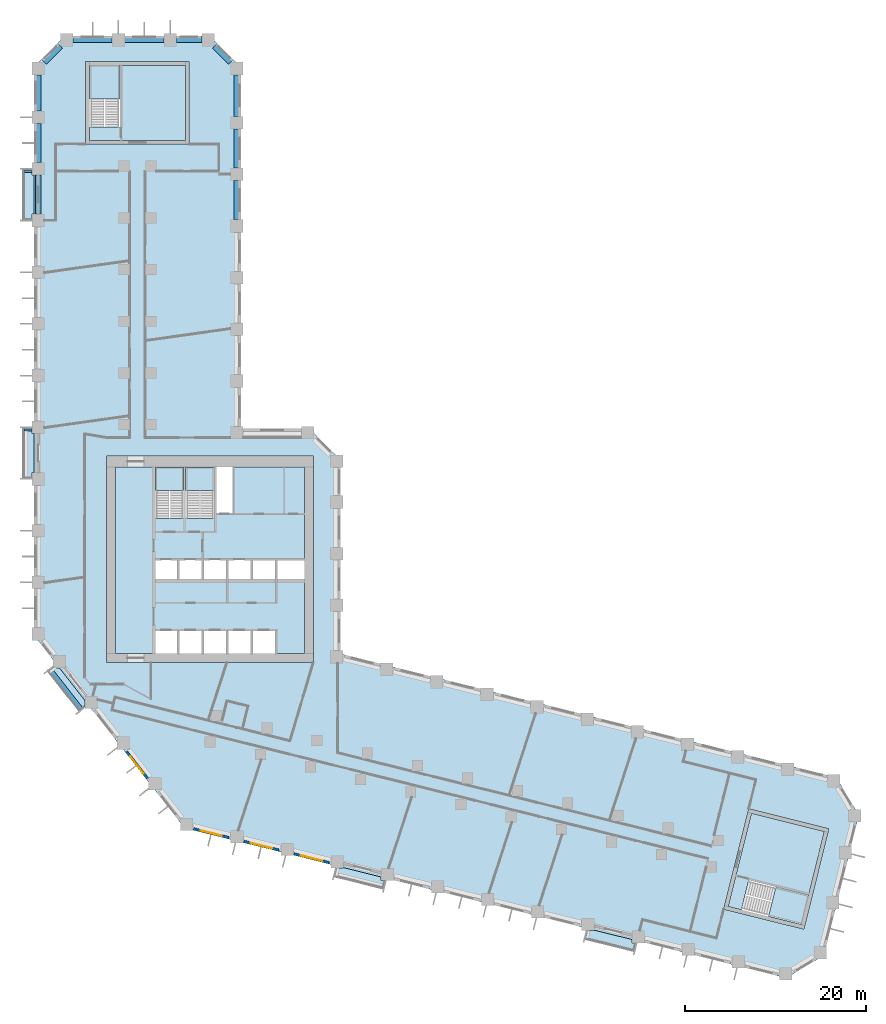
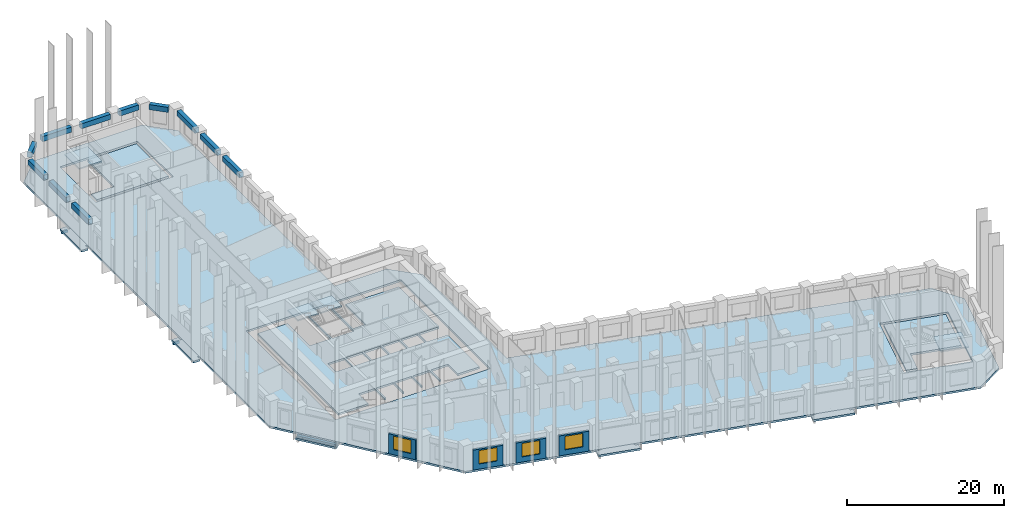
# One storey, part 2 of 12: 13 beams, 13 slabs, 5 walls, 4 windows, 4 openings, 4 elements without a shape of their own.
"""IFC4 building model written with IfcOpenShell, lengths in metres."""

from ifc_helpers import new_model, si_unit, direction, frame, frame_2d, origin, origin_2d, place, context, subcontext, project, spatial, polyline, rectangle, outline, extrude, material, layer, layer_set, material_profile, profile_set, type_object, element, fill, aggregate, save


model = new_model("IFC4")

# Units and contexts
model_context = context("Model", 3, precision=1e-05, world=origin(), true_north=direction((0.0, 1.0)))
body_context = subcontext(model_context, "Body", "Model", "MODEL_VIEW")
ifc_project = project(units=[si_unit("LENGTHUNIT", "METRE"), si_unit("AREAUNIT", "SQUARE_METRE"), si_unit("VOLUMEUNIT", "CUBIC_METRE"), si_unit("PLANEANGLEUNIT", "RADIAN"), si_unit("MASSUNIT", "GRAM", prefix="KILO")], contexts=[model_context])

# Site, building, storey
site_placement = place(None, origin())
site = spatial("IfcSite", under=ifc_project, at=site_placement, CompositionType="ELEMENT")
building_placement = place(site_placement, origin())
building = spatial("IfcBuilding", under=site, at=building_placement, Name="Meshkara Civic Tower", CompositionType="ELEMENT")
storey_placement = place(building_placement, frame((0.0, 0.0, 66.60009765625)))
storey = spatial("IfcBuildingStorey", under=building, at=storey_placement, Name="L14", CompositionType="ELEMENT", Elevation=66.60009765625)

# Beams
ifc_material_1 = material(Name="Concrete C50", Category="concrete")
ifc_material_profile_1 = material_profile(ifc_material_1, rectangle(XDim=0.25, YDim=0.39990234375, at=origin_2d()))
ifc_profile_set_1 = profile_set([ifc_material_profile_1], Name="Concrete C50")
beam_type_1 = type_object("IfcBeamType", Name="Balcony bracket beam RC 250x400 C50", PredefinedType="BEAM", material=ifc_profile_set_1)
for number, where, z_axis, x_axis, name in (
    (1, (-0.2451171875, 68.2548828125, -0.5), (-1.0, 0.0, 0.0), (0.0, -1.0, 0.0), "Balcony bracket beam"),
    (2, (-0.2451171875, 39.7548828125, -0.5), (-1.0, 0.0, 0.0), (0.0, -1.0, 0.0), "Balcony bracket beam"),
):
    element("IfcBeam", number, at=place(storey_placement, frame(where, z_axis=z_axis, x_axis=x_axis)), inside=storey, type_object=beam_type_1, Name=name, PredefinedType="BEAM", context=body_context, shape_type="SweptSolid", body=[
        extrude(rectangle(XDim=0.25, YDim=0.39990234375, at=origin_2d()), origin(), (0.0, 0.0, 1.0), 0.85498046875),
    ])
ifc_material_2 = material(Name="Concrete C70", Category="concrete")
ifc_material_profile_2 = material_profile(ifc_material_2, rectangle(XDim=0.60009765625, YDim=0.800048828125, at=origin_2d()))
ifc_profile_set_2 = profile_set([ifc_material_profile_2], Name="Concrete C70")
beam_type_2 = type_object("IfcBeamType", Name="Spandrel beam RC 600x800 C70", PredefinedType="BEAM", material=ifc_profile_set_2)
beam_1_placement = place(storey_placement, frame((22.35009765625, 62.945068359375, 3.5), z_axis=(0.0, 1.0, 0.0), x_axis=(-1.0, 0.0, 0.0)))
element("IfcBeam", 3, at=beam_1_placement, inside=storey, type_object=beam_type_2, Name="Spandrel beam AE04-AE05", PredefinedType="BEAM", context=body_context, shape_type="SweptSolid", body=[
    extrude(rectangle(XDim=0.60009765625, YDim=0.800048828125, at=origin_2d()), origin(), (0.0, 0.0, 1.0), 4.309814453125),
])
beam_2_placement = place(storey_placement, frame((22.35009765625, 68.64501953125, 3.5), z_axis=(0.0, 1.0, 0.0), x_axis=(-1.0, 0.0, 0.0)))
element("IfcBeam", 4, at=beam_2_placement, inside=storey, type_object=beam_type_2, Name="Spandrel beam AE05-AE06", PredefinedType="BEAM", context=body_context, shape_type="SweptSolid", body=[
    extrude(rectangle(XDim=0.60009765625, YDim=0.800048828125, at=origin_2d()), origin(), (0.0, 0.0, 1.0), 4.31005859375),
])
beam_3_placement = place(storey_placement, frame((22.35009765625, 74.344970703125, 3.5), z_axis=(0.0, 1.0, 0.0), x_axis=(-1.0, 0.0, 0.0)))
element("IfcBeam", 5, at=beam_3_placement, inside=storey, type_object=beam_type_2, Name="Spandrel beam AE06-AEE", PredefinedType="BEAM", context=body_context, shape_type="SweptSolid", body=[
    extrude(rectangle(XDim=0.60009765625, YDim=0.800048828125, at=origin_2d()), origin(), (0.0, 0.0, 1.0), 4.573974609375),
])
beam_4_placement = place(storey_placement, frame((21.653564453125, 80.310546875, 3.5), z_axis=(-0.707155737934, 0.70705782105, 0.0), x_axis=(-0.70705782105, -0.707155737934, 0.0)))
element("IfcBeam", 6, at=beam_4_placement, inside=storey, type_object=beam_type_2, Name="Spandrel beam AEE-ATiE", PredefinedType="BEAM", context=body_context, shape_type="SweptSolid", body=[
    extrude(rectangle(XDim=0.60009765625, YDim=0.800048828125, at=origin_2d()), origin(), (0.0, 0.0, 1.0), 2.493408203125),
])
beam_5_placement = place(storey_placement, frame((18.4990234375, 82.77001953125, 3.5), z_axis=(-1.0, 0.0, 0.0), x_axis=(0.0, -1.0, 0.0)))
element("IfcBeam", 7, at=beam_5_placement, inside=storey, type_object=beam_type_2, Name="Spandrel beam AT02-ATiE", PredefinedType="BEAM", context=body_context, shape_type="SweptSolid", body=[
    extrude(rectangle(XDim=0.60009765625, YDim=0.800048828125, at=origin_2d()), origin(), (0.0, 0.0, 1.0), 2.798095703125),
])
for number, where, z_axis, x_axis, name in (
    (8, (14.31103515625, 82.77001953125, 3.5), (-1.0, 0.0, 0.0), (0.0, -1.0, 0.0), "Spandrel beam AT01-AT02"),
    (9, (8.611083984375, 82.77001953125, 3.5), (-1.0, 0.0, 0.0), (0.0, -1.0, 0.0), "Spandrel beam AT00-AT01"),
):
    element("IfcBeam", number, at=place(storey_placement, frame(where, z_axis=z_axis, x_axis=x_axis)), inside=storey, type_object=beam_type_2, Name=name, PredefinedType="BEAM", context=body_context, shape_type="SweptSolid", body=[
        extrude(rectangle(XDim=0.60009765625, YDim=0.800048828125, at=origin_2d()), origin(), (0.0, 0.0, 1.0), 4.31005859375),
    ])
beam_6_placement = place(storey_placement, frame((2.909423828125, 82.073486328125, 3.5), z_axis=(-0.707106781187, -0.707106781187, 0.0), x_axis=(0.707106781187, -0.707106781187, 0.0)))
element("IfcBeam", 10, at=beam_6_placement, inside=storey, type_object=beam_type_2, Name="Spandrel beam AT00-ATo00", PredefinedType="BEAM", context=body_context, shape_type="SweptSolid", body=[
    extrude(rectangle(XDim=0.60009765625, YDim=0.800048828125, at=origin_2d()), origin(), (0.0, 0.0, 1.0), 2.4931640625),
])
beam_7_placement = place(storey_placement, frame((0.449951171875, 78.9189453125, 3.5), z_axis=(0.0, -1.0, 0.0), x_axis=(1.0, 0.0, 0.0)))
element("IfcBeam", 11, at=beam_7_placement, inside=storey, type_object=beam_type_2, Name="Spandrel beam ATo00-AW10", PredefinedType="BEAM", context=body_context, shape_type="SweptSolid", body=[
    extrude(rectangle(XDim=0.60009765625, YDim=0.800048828125, at=origin_2d()), origin(), (0.0, 0.0, 1.0), 3.968994140625),
])
for number, where, z_axis, x_axis, name in (
    (12, (0.449951171875, 73.56005859375, 3.5), (0.0, -1.0, 0.0), (1.0, 0.0, 0.0), "Spandrel beam AW09-AW10"),
    (13, (0.449951171875, 67.860107421875, 3.5), (0.0, -1.0, 0.0), (1.0, 0.0, 0.0), "Spandrel beam AW08-AW09"),
):
    element("IfcBeam", number, at=place(storey_placement, frame(where, z_axis=z_axis, x_axis=x_axis)), inside=storey, type_object=beam_type_2, Name=name, PredefinedType="BEAM", context=body_context, shape_type="SweptSolid", body=[
        extrude(rectangle(XDim=0.60009765625, YDim=0.800048828125, at=origin_2d()), origin(), (0.0, 0.0, 1.0), 4.31005859375),
    ])

# Slabs
ifc_material_3 = material(Name="Concrete C40", Category="concrete")
ifc_layer_1 = layer(ifc_material_3, 0.300048828125)
ifc_layer_set_1 = layer_set([ifc_layer_1], Name="BALCONY SLAB")
slab_type_1 = type_object("IfcSlabType", Name="BALCONY SLAB", PredefinedType="FLOOR", material=ifc_layer_set_1)
slab_1_placement = place(storey_placement, frame((0.0, 0.0, -0.300048828125)))
element("IfcSlab", 14, at=slab_1_placement, inside=storey, type_object=slab_type_1, Name="Balcony slab", PredefinedType="FLOOR", context=body_context, shape_type="SweptSolid", body=[
    extrude(outline(polyline([(-1.199951171875, 62.9150390625), (-1.199951171875, 68.4951171875), (-0.25, 68.4951171875), (-0.25, 67.85498046875), (0.0, 67.85498046875), (0.0, 63.554931640625), (-0.25, 63.554931640625), (-0.25, 62.9150390625), (-1.199951171875, 62.9150390625)])), origin(), (0.0, 0.0, 1.0), 0.300048828125),
])
slab_2_placement = place(storey_placement, frame((0.0, 0.0, -0.300048828125)))
element("IfcSlab", 15, at=slab_2_placement, inside=storey, type_object=slab_type_1, Name="Balcony slab", PredefinedType="FLOOR", context=body_context, shape_type="SweptSolid", body=[
    extrude(outline(polyline([(-1.199951171875, 34.4150390625), (-1.199951171875, 39.9951171875), (-0.25, 39.9951171875), (-0.25, 39.35498046875), (0.0, 39.35498046875), (0.0, 35.054931640625), (-0.25, 35.054931640625), (-0.25, 34.4150390625), (-1.199951171875, 34.4150390625)])), origin(), (0.0, 0.0, 1.0), 0.300048828125),
])
slab_3_placement = place(storey_placement, frame((0.0, 0.0, -0.300048828125)))
element("IfcSlab", 16, at=slab_3_placement, inside=storey, type_object=slab_type_1, Name="Balcony slab", PredefinedType="FLOOR", context=body_context, shape_type="SweptSolid", body=[
    extrude(outline(polyline([(4.986083984375, 8.76904296875), (1.551025390625, 13.166015625), (2.114013671875, 13.60595703125), (2.114013671875, 13.529052734375), (2.7900390625, 13.529052734375), (5.623046875, 9.903076171875), (5.623046875, 9.26611328125), (4.986083984375, 8.76904296875)])), origin(), (0.0, 0.0, 1.0), 0.300048828125),
])
slab_4_placement = place(storey_placement, frame((0.0, 0.0, -0.300048828125)))
element("IfcSlab", 17, at=slab_4_placement, inside=storey, type_object=slab_type_1, Name="Balcony slab", PredefinedType="FLOOR", context=body_context, shape_type="SweptSolid", body=[
    extrude(outline(polyline([(38.51708984375, -10.840087890625), (33.10205078125, -9.489990234375), (33.330078125, -8.574951171875), (34.14306640625, -8.574951171875), (34.14306640625, -8.512939453125), (38.27392578125, -9.54296875), (38.27392578125, -9.9541015625), (38.738037109375, -9.9541015625), (38.51708984375, -10.840087890625)])), origin(), (0.0, 0.0, 1.0), 0.300048828125),
])
slab_5_placement = place(storey_placement, frame((0.0, 0.0, -0.300048828125)))
element("IfcSlab", 18, at=slab_5_placement, inside=storey, type_object=slab_type_1, Name="Balcony slab", PredefinedType="FLOOR", context=body_context, shape_type="SweptSolid", body=[
    extrude(outline(polyline([(66.169921875, -17.735107421875), (60.756103515625, -16.385009765625), (60.98388671875, -15.468994140625), (61.797119140625, -15.468994140625), (61.797119140625, -15.407958984375), (65.927001953125, -16.43701171875), (65.927001953125, -16.847900390625), (66.39111328125, -16.847900390625), (66.169921875, -17.735107421875)])), origin(), (0.0, 0.0, 1.0), 0.300048828125),
])
ifc_material_4 = material(Name="Concrete C40/50", Category="concrete")
ifc_layer_2 = layer(ifc_material_4, 0.300048828125)
ifc_layer_set_2 = layer_set([ifc_layer_2], Name="Core floor slab 300 C40/50")
slab_type_2 = type_object("IfcSlabType", Name="Core floor slab 300 C40/50", PredefinedType="FLOOR", material=ifc_layer_set_2)
slab_6_placement = place(storey_placement, frame((0.0, 0.0, -0.300048828125)))
element("IfcSlab", 19, at=slab_6_placement, inside=storey, type_object=slab_type_2, Name="Core floor K", PredefinedType="FLOOR", context=body_context, shape_type="SweptSolid", body=[
    extrude(outline(polyline([(9.0, 35.699951171875), (13.39990234375, 35.699951171875), (13.39990234375, 30.00146484375), (16.5, 30.00146484375), (16.5, 35.699951171875), (16.699951171875, 35.699951171875), (16.699951171875, 30.00146484375), (19.89990234375, 30.00146484375), (19.89990234375, 35.699951171875), (20.10009765625, 35.699951171875), (20.10009765625, 30.574951171875), (21.925048828125, 30.574951171875), (21.925048828125, 35.699951171875), (29.800048828125, 35.699951171875), (29.800048828125, 25.39990234375), (26.800048828125, 25.39990234375), (26.800048828125, 23.300048828125), (29.800048828125, 23.300048828125), (29.800048828125, 15.10009765625), (26.60009765625, 15.10009765625), (26.60009765625, 17.60009765625), (24.10009765625, 17.60009765625), (24.10009765625, 15.10009765625), (23.89990234375, 15.10009765625), (23.89990234375, 17.60009765625), (21.39990234375, 17.60009765625), (21.39990234375, 15.10009765625), (21.199951171875, 15.10009765625), (21.199951171875, 17.60009765625), (18.699951171875, 17.60009765625), (18.699951171875, 15.10009765625), (18.5, 15.10009765625), (18.5, 17.60009765625), (16.0, 17.60009765625), (16.0, 15.10009765625), (15.800048828125, 15.10009765625), (15.800048828125, 17.60009765625), (13.39990234375, 17.60009765625), (13.39990234375, 15.10009765625), (9.0, 15.10009765625), (9.0, 35.699951171875)]), holes=[polyline([(13.39990234375, 25.39990234375), (13.39990234375, 23.300048828125), (15.800048828125, 23.300048828125), (15.800048828125, 25.39990234375), (13.39990234375, 25.39990234375)]), polyline([(18.5, 23.300048828125), (18.5, 25.39990234375), (16.0, 25.39990234375), (16.0, 23.300048828125), (18.5, 23.300048828125)]), polyline([(18.699951171875, 25.39990234375), (18.699951171875, 23.300048828125), (21.199951171875, 23.300048828125), (21.199951171875, 25.39990234375), (18.699951171875, 25.39990234375)]), polyline([(21.39990234375, 23.300048828125), (23.89990234375, 23.300048828125), (23.89990234375, 25.39990234375), (21.39990234375, 25.39990234375), (21.39990234375, 23.300048828125)]), polyline([(26.60009765625, 25.39990234375), (24.10009765625, 25.39990234375), (24.10009765625, 23.300048828125), (26.60009765625, 23.300048828125), (26.60009765625, 25.39990234375)])]), origin(), (0.0, 0.0, 1.0), 0.300048828125),
])
slab_7_placement = place(storey_placement, frame((0.0, 0.0, -0.300048828125)))
element("IfcSlab", 20, at=slab_7_placement, inside=storey, type_object=slab_type_2, Name="Core floor EA", PredefinedType="FLOOR", context=body_context, shape_type="SweptSolid", body=[
    extrude(outline(polyline([(16.699951171875, 71.669921875), (16.699951171875, 79.969970703125), (9.5, 79.969970703125), (9.5, 73.17138671875), (6.10009765625, 73.17138671875), (6.10009765625, 71.669921875), (16.699951171875, 71.669921875)])), origin(), (0.0, 0.0, 1.0), 0.300048828125),
])
slab_8_placement = place(storey_placement, frame((0.0, 0.0, -0.300048828125)))
element("IfcSlab", 21, at=slab_8_placement, inside=storey, type_object=slab_type_2, Name="Core floor EB", PredefinedType="FLOOR", context=body_context, shape_type="SweptSolid", body=[
    extrude(outline(polyline([(79.11181640625, -2.513671875), (87.165283203125, -4.521484375), (85.423583984375, -11.507568359375), (78.826904296875, -9.863037109375), (78.00439453125, -13.161865234375), (76.547607421875, -12.798583984375), (79.11181640625, -2.513671875)])), origin(), (0.0, 0.0, 1.0), 0.300048828125),
])

# Stair, slab
ifc_material_5 = material(Name="Precast concrete C40/50", Category="concrete")
stair_type_1 = type_object("IfcStairType", Name="Exit stair half-turn 24 risers precast", PredefinedType="HALF_TURN_STAIR", material=ifc_material_5)
stair_1_placement = place(storey_placement, origin())
stair_1 = element("IfcStair", 22, at=stair_1_placement, inside=storey, type_object=stair_type_1, Name="L14 exit stair 1", PredefinedType="HALF_TURN_STAIR")
ifc_material_6 = material(Name="Precast concrete C40/50", Category="concrete")
ifc_layer_3 = layer(ifc_material_6, 0.199951171875)
ifc_layer_set_3 = layer_set([ifc_layer_3], Name="Exit stair landing 200")
slab_type_3 = type_object("IfcSlabType", Name="Exit stair landing 200", PredefinedType="LANDING", material=ifc_layer_set_3)
slab_9_placement = place(storey_placement, frame((0.0, 0.0, 1.89990234375)))
slab_9 = element("IfcSlab", 23, at=slab_9_placement, type_object=slab_type_3, Name="ST1 landing 1", PredefinedType="LANDING", context=body_context, shape_type="SweptSolid", body=[
    extrude(outline(polyline([(16.5, 33.07861328125), (16.5, 35.699951171875), (13.39990234375, 35.699951171875), (13.39990234375, 33.07861328125), (16.5, 33.07861328125)])), origin(), (0.0, 0.0, 1.0), 0.199951171875),
])
aggregate(stair_1, [slab_9])

stair_2_placement = place(storey_placement, origin())
stair_2 = element("IfcStair", 24, at=stair_2_placement, inside=storey, type_object=stair_type_1, Name="L14 exit stair 2", PredefinedType="HALF_TURN_STAIR")
slab_10_placement = place(storey_placement, frame((0.0, 0.0, 1.89990234375)))
slab_10 = element("IfcSlab", 25, at=slab_10_placement, type_object=slab_type_3, Name="ST2 landing 1", PredefinedType="LANDING", context=body_context, shape_type="SweptSolid", body=[
    extrude(outline(polyline([(19.89990234375, 33.07861328125), (19.89990234375, 35.699951171875), (16.699951171875, 35.699951171875), (16.699951171875, 33.07861328125), (19.89990234375, 33.07861328125)])), origin(), (0.0, 0.0, 1.0), 0.199951171875),
])
aggregate(stair_2, [slab_10])

ifc_material_7 = material(Name="Precast concrete C40/50", Category="concrete")
stair_type_2 = type_object("IfcStairType", Name="Exit stair half-turn 24 risers 1500 precast", PredefinedType="HALF_TURN_STAIR", material=ifc_material_7)
stair_3_placement = place(storey_placement, origin())
stair_3 = element("IfcStair", 26, at=stair_3_placement, inside=storey, type_object=stair_type_2, Name="L14 exit stair A from B2", PredefinedType="HALF_TURN_STAIR")
slab_11_placement = place(storey_placement, frame((0.0, 0.0, 1.89990234375)))
slab_11 = element("IfcSlab", 27, at=slab_11_placement, type_object=slab_type_3, Name="ESA1 landing 1", PredefinedType="LANDING", context=body_context, shape_type="SweptSolid", body=[
    extrude(outline(polyline([(9.5, 76.24853515625), (9.5, 79.969970703125), (6.10009765625, 79.969970703125), (6.10009765625, 76.24853515625), (9.5, 76.24853515625)])), origin(), (0.0, 0.0, 1.0), 0.199951171875),
])
aggregate(stair_3, [slab_11])

stair_4_placement = place(storey_placement, origin())
stair_4 = element("IfcStair", 28, at=stair_4_placement, inside=storey, type_object=stair_type_2, Name="L14 exit stair B from B2", PredefinedType="HALF_TURN_STAIR")
slab_12_placement = place(storey_placement, frame((0.0, 0.0, 1.89990234375)))
slab_12 = element("IfcSlab", 29, at=slab_12_placement, type_object=slab_type_3, Name="ESB1 landing 1", PredefinedType="LANDING", context=body_context, shape_type="SweptSolid", body=[
    extrude(outline(polyline([(80.98974609375, -13.9072265625), (84.600830078125, -14.80810546875), (85.424072265625, -11.50830078125), (81.81298828125, -10.607421875), (80.98974609375, -13.9072265625)])), origin(), (0.0, 0.0, 1.0), 0.199951171875),
])
aggregate(stair_4, [slab_12])

# Slab
ifc_material_8 = material(Name="Concrete C50", Category="concrete")
ifc_layer_4 = layer(ifc_material_8, 0.300048828125)
ifc_layer_set_4 = layer_set([ifc_layer_4], Name="Post-tensioned flat slab 300 C50")
slab_type_4 = type_object("IfcSlabType", Name="Post-tensioned flat slab 300 C50", PredefinedType="FLOOR", material=ifc_layer_set_4)
slab_13_placement = place(storey_placement, frame((0.0, 0.0, -0.300048828125)))
element("IfcSlab", 30, at=slab_13_placement, inside=storey, type_object=slab_type_4, Name="Post-tensioned flat slab L14", PredefinedType="FLOOR", context=body_context, shape_type="SweptSolid", body=[
    extrude(outline(polyline([(87.10595703125, -18.193115234375), (82.9599609375, -20.68408203125), (16.592041015625, -4.136962890625), (0.0, 17.10009765625), (0.0, 79.800048828125), (3.419921875, 83.219970703125), (19.3798828125, 83.219970703125), (22.800048828125, 79.800048828125), (22.800048828125, 39.89990234375), (30.3798828125, 39.89990234375), (33.800048828125, 36.47998046875), (33.800048828125, 15.071044921875), (88.47607421875, 1.43798828125), (90.967041015625, -2.70703125), (87.10595703125, -18.193115234375)]), holes=[polyline([(84.89208984375, -15.2919921875), (87.64990234375, -4.22998046875), (78.821044921875, -2.029052734375), (76.06298828125, -13.090087890625), (84.89208984375, -15.2919921875)]), polyline([(8.0, 14.10009765625), (30.800048828125, 14.10009765625), (30.800048828125, 36.89990234375), (8.0, 36.89990234375), (8.0, 14.10009765625)]), polyline([(5.699951171875, 80.3701171875), (5.699951171875, 71.27001953125), (17.10009765625, 71.27001953125), (17.10009765625, 80.3701171875), (5.699951171875, 80.3701171875)])]), origin(), (0.0, 0.0, 1.0), 0.300048828125),
])

# Wall, opening, window
ifc_material_9 = material(Name="Insulated infill panel with bronze anodised aluminium cladding", Category="aluminium")
ifc_layer_5 = layer(ifc_material_9, 0.300048828125)
ifc_layer_set_5 = layer_set([ifc_layer_5], Name="EXTERNAL INFILL WALL 300")
wall_type_1 = type_object("IfcWallType", Name="EXTERNAL INFILL WALL 300", PredefinedType="SOLIDWALL", material=ifc_layer_set_5)
wall_1_placement = place(storey_placement, frame((10.201904296875, 4.285888671875, 0.0), z_axis=(0.0, 0.0, 1.0), x_axis=(0.615636430057, -0.788030320474, 0.0)))
wall_1 = element("IfcWall", 31, at=wall_1_placement, inside=storey, type_object=wall_type_1, Name="External wall", PredefinedType="SOLIDWALL", context=body_context, shape_type="SweptSolid", body=[
    extrude(rectangle(XDim=3.734375, YDim=0.300048828125, at=frame_2d((1.8671875, 0.0))), origin(), (0.0, 0.0, 1.0), 3.099853515625),
])
opening_1_placement = place(wall_1_placement, frame((0.6669921875, 0.0, 0.800048828125)))
opening_1 = element("IfcOpeningElement", 32, at=opening_1_placement, cuts=wall_1, Name="Opening W7", PredefinedType="OPENING", context=body_context, shape_type="SweptSolid", body=[
    extrude(rectangle(XDim=2.39990234375, YDim=2.10009765625, at=frame_2d((1.199951171875, 1.050048828125))), frame((0.0, 0.159912109375, 0.0), z_axis=(0.0, -1.0, 0.0), x_axis=(1.0, 0.0, 0.0)), (0.0, 0.0, 1.0), 0.320068359375),
])
ifc_material_10 = material(Name="Tinted double glazing", Category="glass")
window_type = type_object("IfcWindowType", Name="WINDOW 2400x2100", PartitioningType="DOUBLE_PANEL_VERTICAL", PredefinedType="WINDOW", material=ifc_material_10)
window_1_placement = place(opening_1_placement, origin())
window_1 = element("IfcWindow", 33, at=window_1_placement, inside=storey, type_object=window_type, Name="Window", OverallHeight=2.10009765625, OverallWidth=2.39990234375, PartitioningType="DOUBLE_PANEL_VERTICAL", PredefinedType="WINDOW", context=body_context, shape_type="SweptSolid", body=[
    extrude(rectangle(XDim=2.39990234375, YDim=2.10009765625, at=frame_2d((1.199951171875, 1.050048828125))), frame((0.0, 0.030029296875, 0.0), z_axis=(0.0, -1.0, 0.0), x_axis=(1.0, 0.0, 0.0)), (0.0, 0.0, 1.0), 0.06005859375),
])
fill(opening_1, window_1)

wall_2_placement = place(storey_placement, frame((17.60205078125, -4.23388671875, 0.0), z_axis=(0.0, 0.0, 1.0), x_axis=(0.970260773365, -0.242062040951, 0.0)))
wall_2 = element("IfcWall", 34, at=wall_2_placement, inside=storey, type_object=wall_type_1, Name="External wall", PredefinedType="SOLIDWALL", context=body_context, shape_type="SweptSolid", body=[
    extrude(rectangle(XDim=4.003173828125, YDim=0.300048828125, at=frame_2d((2.00146484375, 0.0))), origin(), (0.0, 0.0, 1.0), 3.099853515625),
])
opening_2_placement = place(wall_2_placement, frame((0.802001953125, 0.0, 0.800048828125)))
opening_2 = element("IfcOpeningElement", 35, at=opening_2_placement, cuts=wall_2, Name="Opening W7", PredefinedType="OPENING", context=body_context, shape_type="SweptSolid", body=[
    extrude(rectangle(XDim=2.39990234375, YDim=2.10009765625, at=frame_2d((1.199951171875, 1.050048828125))), frame((0.0, 0.159912109375, 0.0), z_axis=(0.0, -1.0, 0.0), x_axis=(1.0, 0.0, 0.0)), (0.0, 0.0, 1.0), 0.320068359375),
])
window_2_placement = place(opening_2_placement, origin())
window_2 = element("IfcWindow", 36, at=window_2_placement, inside=storey, type_object=window_type, Name="Window", OverallHeight=2.10009765625, OverallWidth=2.39990234375, PartitioningType="DOUBLE_PANEL_VERTICAL", PredefinedType="WINDOW", context=body_context, shape_type="SweptSolid", body=[
    extrude(rectangle(XDim=2.39990234375, YDim=2.10009765625, at=frame_2d((1.199951171875, 1.050048828125))), frame((0.0, 0.030029296875, 0.0), z_axis=(0.0, -1.0, 0.0), x_axis=(1.0, 0.0, 0.0)), (0.0, 0.0, 1.0), 0.06005859375),
])
fill(opening_2, window_2)

wall_3_placement = place(storey_placement, frame((23.133056640625, -5.613037109375, 0.0), z_axis=(0.0, 0.0, 1.0), x_axis=(0.970303772127, -0.241889623168, 0.0)))
wall_3 = element("IfcWall", 37, at=wall_3_placement, inside=storey, type_object=wall_type_1, Name="External wall", PredefinedType="SOLIDWALL", context=body_context, shape_type="SweptSolid", body=[
    extrude(rectangle(XDim=4.001953125, YDim=0.300048828125, at=frame_2d((2.0009765625, 0.0))), origin(), (0.0, 0.0, 1.0), 3.099853515625),
])
opening_3_placement = place(wall_3_placement, frame((0.801025390625, 0.0, 0.800048828125)))
opening_3 = element("IfcOpeningElement", 38, at=opening_3_placement, cuts=wall_3, Name="Opening W7", PredefinedType="OPENING", context=body_context, shape_type="SweptSolid", body=[
    extrude(rectangle(XDim=2.39990234375, YDim=2.10009765625, at=frame_2d((1.199951171875, 1.050048828125))), frame((0.0, 0.159912109375, 0.0), z_axis=(0.0, -1.0, 0.0), x_axis=(1.0, 0.0, 0.0)), (0.0, 0.0, 1.0), 0.320068359375),
])
window_3_placement = place(opening_3_placement, origin())
window_3 = element("IfcWindow", 39, at=window_3_placement, inside=storey, type_object=window_type, Name="Window", OverallHeight=2.10009765625, OverallWidth=2.39990234375, PartitioningType="DOUBLE_PANEL_VERTICAL", PredefinedType="WINDOW", context=body_context, shape_type="SweptSolid", body=[
    extrude(rectangle(XDim=2.39990234375, YDim=2.10009765625, at=frame_2d((1.199951171875, 1.050048828125))), frame((0.0, 0.030029296875, 0.0), z_axis=(0.0, -1.0, 0.0), x_axis=(1.0, 0.0, 0.0)), (0.0, 0.0, 1.0), 0.06005859375),
])
fill(opening_3, window_3)

wall_4_placement = place(storey_placement, frame((28.6630859375, -6.991943359375, 0.0), z_axis=(0.0, 0.0, 1.0), x_axis=(0.970318045095, -0.24183236211, 0.0)))
wall_4 = element("IfcWall", 40, at=wall_4_placement, inside=storey, type_object=wall_type_1, Name="External wall", PredefinedType="SOLIDWALL", context=body_context, shape_type="SweptSolid", body=[
    extrude(rectangle(XDim=4.0029296875, YDim=0.300048828125, at=frame_2d((2.00146484375, 0.0))), origin(), (0.0, 0.0, 1.0), 3.099853515625),
])
opening_4_placement = place(wall_4_placement, frame((0.802001953125, 0.0, 0.800048828125)))
opening_4 = element("IfcOpeningElement", 41, at=opening_4_placement, cuts=wall_4, Name="Opening W7", PredefinedType="OPENING", context=body_context, shape_type="SweptSolid", body=[
    extrude(rectangle(XDim=2.39990234375, YDim=2.10009765625, at=frame_2d((1.199951171875, 1.050048828125))), frame((0.0, 0.159912109375, 0.0), z_axis=(0.0, -1.0, 0.0), x_axis=(1.0, 0.0, 0.0)), (0.0, 0.0, 1.0), 0.320068359375),
])
window_4_placement = place(opening_4_placement, origin())
window_4 = element("IfcWindow", 42, at=window_4_placement, inside=storey, type_object=window_type, Name="Window", OverallHeight=2.10009765625, OverallWidth=2.39990234375, PartitioningType="DOUBLE_PANEL_VERTICAL", PredefinedType="WINDOW", context=body_context, shape_type="SweptSolid", body=[
    extrude(rectangle(XDim=2.39990234375, YDim=2.10009765625, at=frame_2d((1.199951171875, 1.050048828125))), frame((0.0, 0.030029296875, 0.0), z_axis=(0.0, -1.0, 0.0), x_axis=(1.0, 0.0, 0.0)), (0.0, 0.0, 1.0), 0.06005859375),
])
fill(opening_4, window_4)

# Wall
ifc_material_11 = material(Name="Concrete C40", Category="concrete")
ifc_layer_6 = layer(ifc_material_11, 0.39990234375)
ifc_layer_set_6 = layer_set([ifc_layer_6], Name="PLANTER TRAY")
wall_type_2 = type_object("IfcWallType", Name="PLANTER TRAY", PredefinedType="SOLIDWALL", material=ifc_layer_set_6)
wall_5_placement = place(storey_placement, frame((1.87109375, 13.27587890625, 0.0), z_axis=(0.0, 0.0, 1.0), x_axis=(0.615632551218, -0.788033350741, 0.0)))
element("IfcWall", 43, at=wall_5_placement, inside=storey, type_object=wall_type_2, Name="Planter", PredefinedType="SOLIDWALL", context=body_context, shape_type="SweptSolid", body=[
    extrude(rectangle(XDim=5.360107421875, YDim=0.39990234375, at=frame_2d((2.68017578125, 0.0))), origin(), (0.0, 0.0, 1.0), 0.2998046875),
])

save(model, "model.ifc")
